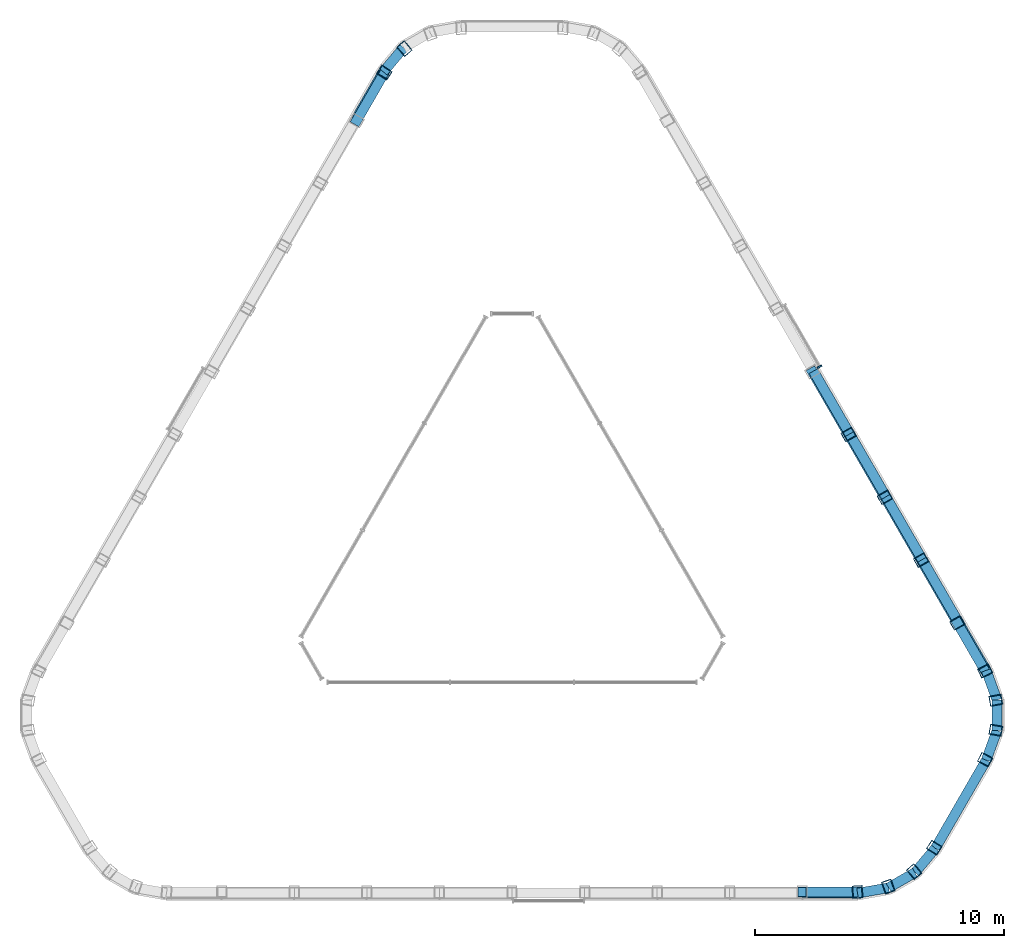
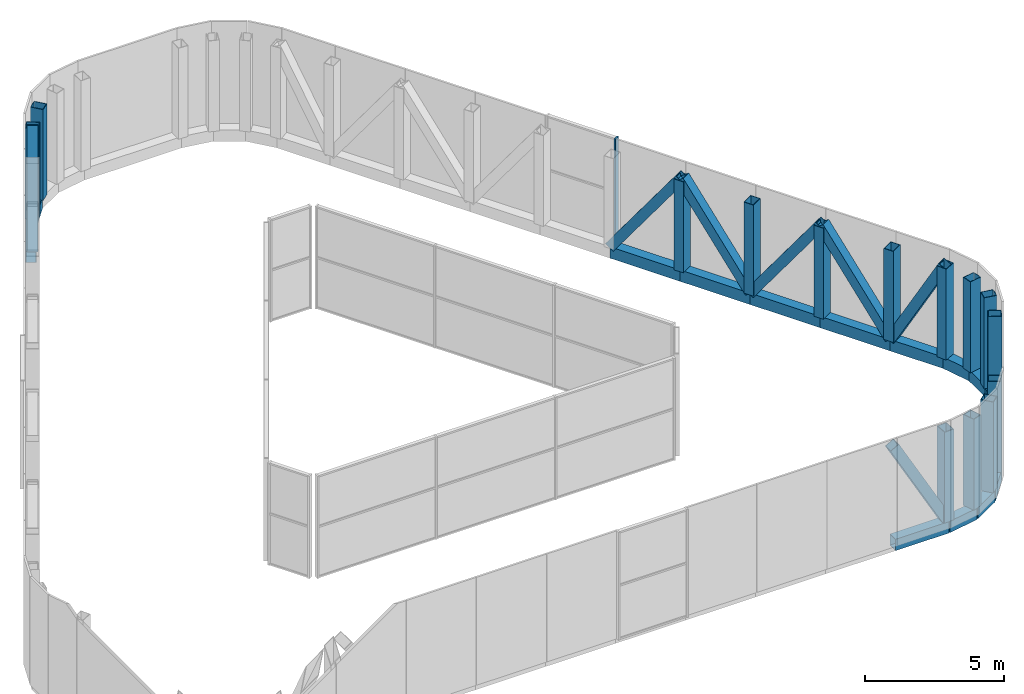
# One storey, part 3 of 5: 37 members, 1 element without a shape of its own.
"""IFC4 building model written with IfcOpenShell, lengths in metres."""

from ifc_helpers import new_model, si_unit, direction, frame, origin, origin_2d, place, context, subcontext, project, spatial, rectangle, hollow_rectangle, extrude, material, layer, layer_set, material_profile, profile_set, type_object, element, aggregate, save


model = new_model("IFC4")

# Units and contexts
model_context = context("Model", 3, precision=1e-05, world=origin(), true_north=direction((0.0, 1.0)))
body_context = subcontext(model_context, "Body", "Model", "MODEL_VIEW")
ifc_project = project(units=[si_unit("LENGTHUNIT", "METRE"), si_unit("AREAUNIT", "SQUARE_METRE"), si_unit("VOLUMEUNIT", "CUBIC_METRE"), si_unit("PLANEANGLEUNIT", "RADIAN"), si_unit("MASSUNIT", "GRAM", prefix="KILO")], contexts=[model_context])

# Site, building, storey
site_placement = place(None, origin())
site = spatial("IfcSite", under=ifc_project, at=site_placement, CompositionType="ELEMENT")
building_placement = place(site_placement, origin())
building = spatial("IfcBuilding", under=site, at=building_placement, Name="Apuvela Tower Hotel", CompositionType="ELEMENT")
storey_placement = place(building_placement, frame((0.0, 0.0, 366.800048828125)))
storey = spatial("IfcBuildingStorey", under=building, at=storey_placement, Name="R-6 ROOF", CompositionType="ELEMENT", Elevation=366.800048828125)

# Members
ifc_material_1 = material(Name="Steel S355, black paint system", Category="steel")
ifc_material_profile_1 = material_profile(ifc_material_1, hollow_rectangle(XDim=0.39990234375, YDim=0.39990234375, WallThickness=0.01611328125, at=origin_2d()), Name="HSS 400x400x16")
ifc_profile_set_1 = profile_set([ifc_material_profile_1], Name="Steel S355, black paint system")
member_type_1 = type_object("IfcMemberType", Name="ENV-CROWN-BRACE-400x400", PredefinedType="BRACE", material=ifc_profile_set_1)
member_1_placement = place(storey_placement, frame((-6.236572265625, 17.050537109375, 0.25), z_axis=(0.242948815269, 0.420705831623, 0.874060911148), x_axis=(-0.865977099567, 0.500083656027, 0.0)))
element("IfcMember", 1, at=member_1_placement, inside=storey, type_object=member_type_1, Name="Crown frame brace 7", PredefinedType="BRACE", context=body_context, shape_type="SweptSolid", body=[
    extrude(hollow_rectangle(XDim=0.39990234375, YDim=0.39990234375, WallThickness=0.01611328125, at=origin_2d()), origin(), (0.0, 0.0, 1.0), 4.576416015625),
])
member_2_placement = place(storey_placement, frame((13.87109375, -13.92626953125, 0.25), z_axis=(-0.485796931429, 0.0, 0.874071702673), x_axis=(0.0, -1.0, 0.0)))
element("IfcMember", 2, at=member_2_placement, inside=storey, type_object=member_type_1, Name="Crown frame brace 33", PredefinedType="BRACE", context=body_context, shape_type="SweptSolid", body=[
    extrude(hollow_rectangle(XDim=0.39990234375, YDim=0.39990234375, WallThickness=0.01611328125, at=origin_2d()), origin(), (0.0, 0.0, 1.0), 4.576171875),
])
member_3_placement = place(storey_placement, frame((17.884521484375, -3.124267578125, 0.25), z_axis=(0.242893162774, -0.420755188842, 0.874052620006), x_axis=(0.866052104262, 0.499953750565, 0.0)))
element("IfcMember", 3, at=member_3_placement, inside=storey, type_object=member_type_1, Name="Crown frame brace 41", PredefinedType="BRACE", context=body_context, shape_type="SweptSolid", body=[
    extrude(hollow_rectangle(XDim=0.39990234375, YDim=0.39990234375, WallThickness=0.01611328125, at=origin_2d()), origin(), (0.0, 0.0, 1.0), 4.576416015625),
])
for number, where, z_axis, x_axis, name in (
    (4, (17.884521484375, -3.124267578125, 0.25), (-0.294284958722, 0.509718917438, 0.80844479606), (-0.866026430432, -0.49999822179, 0.0), "Crown frame brace 42"),
    (5, (14.972412109375, 1.91943359375, 0.25), (0.294292360305, -0.509682392621, 0.808465129315), (0.866005469285, 0.500034525977, 0.0), "Crown frame brace 43"),
    (6, (14.972412109375, 1.91943359375, 0.25), (-0.294292360305, 0.509682392621, 0.808465129315), (-0.866005469285, -0.500034525977, 0.0), "Crown frame brace 44"),
    (7, (12.060302734375, 6.963134765625, 0.25), (0.294284958722, -0.509718917438, 0.80844479606), (0.866026430432, 0.49999822179, 0.0), "Crown frame brace 45"),
):
    element("IfcMember", number, at=place(storey_placement, frame(where, z_axis=z_axis, x_axis=x_axis)), inside=storey, type_object=member_type_1, Name=name, PredefinedType="BRACE", context=body_context, shape_type="SweptSolid", body=[
        extrude(hollow_rectangle(XDim=0.39990234375, YDim=0.39990234375, WallThickness=0.01611328125, at=origin_2d()), origin(), (0.0, 0.0, 1.0), 4.94775390625),
    ])
ifc_material_profile_2 = material_profile(ifc_material_1, hollow_rectangle(XDim=0.39990234375, YDim=0.5, WallThickness=0.02001953125, at=origin_2d()), Name="HSS 500x400x20")
ifc_profile_set_2 = profile_set([ifc_material_profile_2], Name="Steel S355, black paint system")
member_type_2 = type_object("IfcMemberType", Name="ENV-CROWN-POST-500x400", PredefinedType="POST", material=ifc_profile_set_2)
for number, where, z_axis, x_axis, name in (
    (8, (-4.318115234375, 19.9375, 0.25), (0.0, 0.0, 1.0), (-0.763579690807, -0.645713601984, 0.0), "Crown frame post 6"),
    (9, (-5.124755859375, 18.975830078125, 0.25), (0.0, 0.0, 1.0), (-0.553467140498, -0.832871013056, 0.0), "Crown frame post 7"),
    (10, (13.87109375, -13.92626953125, 0.25), (0.0, 0.0, 1.0), (0.998021025631, 0.062881097303, 0.0), "Crown frame post 34"),
    (11, (15.107421875, -13.708251953125, 0.25), (0.0, 0.0, 1.0), (0.940994228291, 0.33842260906, 0.0), "Crown frame post 35"),
    (12, (16.148193359375, -13.107421875, 0.25), (0.0, 0.0, 1.0), (0.763579690807, 0.645713601984, 0.0), "Crown frame post 36"),
    (13, (16.955078125, -12.145751953125, 0.25), (0.0, 0.0, 1.0), (0.535045541825, 0.844823217113, 0.0), "Crown frame post 37"),
    (14, (18.99609375, -8.610595703125, 0.25), (0.0, 0.0, 1.0), (0.464115596815, 0.885774639958, 0.0), "Crown frame post 38"),
    (15, (19.42529296875, -7.43115234375, 0.25), (0.0, 0.0, 1.0), (0.177414537484, 0.984136211045, 0.0), "Crown frame post 39"),
    (16, (19.42529296875, -6.229248046875, 0.25), (0.0, 0.0, 1.0), (-0.177414537484, 0.984136211045, 0.0), "Crown frame post 40"),
    (17, (18.99609375, -5.0498046875, 0.25), (0.0, 0.0, 1.0), (-0.444553885133, 0.895752110359, 0.0), "Crown frame post 41"),
    (18, (17.884521484375, -3.124267578125, 0.25), (0.0, 0.0, 1.0), (-0.5, 0.866025403784, 0.0), "Crown frame post 42"),
    (19, (16.428466796875, -0.602294921875, 0.25), (0.0, 0.0, 1.0), (-0.5, 0.866025403784, 0.0), "Crown frame post 43"),
    (20, (14.972412109375, 1.91943359375, 0.25), (0.0, 0.0, 1.0), (-0.5, 0.866025403784, 0.0), "Crown frame post 44"),
    (21, (13.516357421875, 4.441162109375, 0.25), (0.0, 0.0, 1.0), (-0.5, 0.866025403784, 0.0), "Crown frame post 45"),
):
    element("IfcMember", number, at=place(storey_placement, frame(where, z_axis=z_axis, x_axis=x_axis)), inside=storey, type_object=member_type_2, Name=name, PredefinedType="POST", context=body_context, shape_type="SweptSolid", body=[
        extrude(hollow_rectangle(XDim=0.39990234375, YDim=0.5, WallThickness=0.02001953125, at=origin_2d()), origin(), (0.0, 0.0, 1.0), 4.0),
    ])
ifc_material_profile_3 = material_profile(ifc_material_1, hollow_rectangle(XDim=0.39990234375, YDim=0.5, WallThickness=0.01611328125, at=origin_2d()), Name="HSS 500x400x16")
ifc_profile_set_3 = profile_set([ifc_material_profile_3], Name="Steel S355, black paint system")
member_type_3 = type_object("IfcMemberType", Name="ENV-CROWN-RING-500x400", PredefinedType="STRINGER", material=ifc_profile_set_3)
member_4_placement = place(storey_placement, frame((-4.3505859375, 19.976318359375, 0.0), z_axis=(-0.642830918567, -0.766008100567, 0.0), x_axis=(0.766008100567, -0.642830918567, 0.0)))
element("IfcMember", 22, at=member_4_placement, inside=storey, type_object=member_type_3, Name="Crown frame ring beam 6.6", PredefinedType="STRINGER", context=body_context, shape_type="SweptSolid", body=[
    extrude(hollow_rectangle(XDim=0.39990234375, YDim=0.5, WallThickness=0.01611328125, at=origin_2d()), origin(), (0.0, 0.0, 1.0), 1.2685546875),
])
for number, where, z_axis, x_axis, name in (
    (23, (-5.166015625, 19.004638671875, 0.0), (-0.499941024108, -0.866059450854, 0.0), (0.866059450854, -0.499941024108, 0.0), "Crown frame ring beam 6.7"),
    (24, (11.651611328125, -13.976318359375, 0.0), (1.0, 0.0, 0.0), (0.0, 1.0, 0.0), "Crown frame ring beam 6.33"),
):
    element("IfcMember", number, at=place(storey_placement, frame(where, z_axis=z_axis, x_axis=x_axis)), inside=storey, type_object=member_type_3, Name=name, PredefinedType="STRINGER", context=body_context, shape_type="SweptSolid", body=[
        extrude(hollow_rectangle(XDim=0.39990234375, YDim=0.5, WallThickness=0.01611328125, at=origin_2d()), origin(), (0.0, 0.0, 1.0), 2.223876953125),
    ])
member_5_placement = place(storey_placement, frame((13.87548828125, -13.976318359375, 0.0), z_axis=(0.984783558818, 0.173785333909, 0.0), x_axis=(-0.173785333909, 0.984783558818, 0.0)))
element("IfcMember", 25, at=member_5_placement, inside=storey, type_object=member_type_3, Name="Crown frame ring beam 6.34", PredefinedType="STRINGER", context=body_context, shape_type="SweptSolid", body=[
    extrude(hollow_rectangle(XDim=0.39990234375, YDim=0.5, WallThickness=0.01611328125, at=origin_2d()), origin(), (0.0, 0.0, 1.0), 1.2685546875),
])
member_6_placement = place(storey_placement, frame((15.124755859375, -13.755859375, 0.0), z_axis=(0.866078909804, 0.499907313403, 0.0), x_axis=(-0.499907313403, 0.866078909804, 0.0)))
element("IfcMember", 26, at=member_6_placement, inside=storey, type_object=member_type_3, Name="Crown frame ring beam 6.35", PredefinedType="STRINGER", context=body_context, shape_type="SweptSolid", body=[
    extrude(hollow_rectangle(XDim=0.39990234375, YDim=0.5, WallThickness=0.01611328125, at=origin_2d()), origin(), (0.0, 0.0, 1.0), 1.219482421875),
])
member_7_placement = place(storey_placement, frame((16.180908203125, -13.146240234375, 0.0), z_axis=(0.642717965607, 0.766102876046, 0.0), x_axis=(-0.766102876046, 0.642717965607, 0.0)))
element("IfcMember", 27, at=member_7_placement, inside=storey, type_object=member_type_3, Name="Crown frame ring beam 6.36", PredefinedType="STRINGER", context=body_context, shape_type="SweptSolid", body=[
    extrude(hollow_rectangle(XDim=0.39990234375, YDim=0.5, WallThickness=0.01611328125, at=origin_2d()), origin(), (0.0, 0.0, 1.0), 1.268310546875),
])
member_8_placement = place(storey_placement, frame((16.99609375, -12.174560546875, 0.0), z_axis=(0.500003144135, 0.86602358851, 0.0), x_axis=(-0.86602358851, 0.500003144135, 0.0)))
element("IfcMember", 28, at=member_8_placement, inside=storey, type_object=member_type_3, Name="Crown frame ring beam 6.37", PredefinedType="STRINGER", context=body_context, shape_type="SweptSolid", body=[
    extrude(hollow_rectangle(XDim=0.39990234375, YDim=0.5, WallThickness=0.01611328125, at=origin_2d()), origin(), (0.0, 0.0, 1.0), 4.0908203125),
])
member_9_placement = place(storey_placement, frame((19.04150390625, -8.6318359375, 0.0), z_axis=(0.34203668354, 0.939686600475, 0.0), x_axis=(-0.939686600475, 0.34203668354, 0.0)))
element("IfcMember", 29, at=member_9_placement, inside=storey, type_object=member_type_3, Name="Crown frame ring beam 6.38", PredefinedType="STRINGER", context=body_context, shape_type="SweptSolid", body=[
    extrude(hollow_rectangle(XDim=0.39990234375, YDim=0.5, WallThickness=0.01611328125, at=origin_2d()), origin(), (0.0, 0.0, 1.0), 1.268310546875),
])
member_10_placement = place(storey_placement, frame((19.475341796875, -7.43994140625, 0.0), z_axis=(0.0, 1.0, 0.0), x_axis=(-1.0, 0.0, 0.0)))
element("IfcMember", 30, at=member_10_placement, inside=storey, type_object=member_type_3, Name="Crown frame ring beam 6.39", PredefinedType="STRINGER", context=body_context, shape_type="SweptSolid", body=[
    extrude(hollow_rectangle(XDim=0.39990234375, YDim=0.5, WallThickness=0.01611328125, at=origin_2d()), origin(), (0.0, 0.0, 1.0), 1.219482421875),
])
member_11_placement = place(storey_placement, frame((19.475341796875, -6.220458984375, 0.0), z_axis=(-0.34203668354, 0.939686600475, 0.0), x_axis=(-0.939686600475, -0.34203668354, 0.0)))
element("IfcMember", 31, at=member_11_placement, inside=storey, type_object=member_type_3, Name="Crown frame ring beam 6.40", PredefinedType="STRINGER", context=body_context, shape_type="SweptSolid", body=[
    extrude(hollow_rectangle(XDim=0.39990234375, YDim=0.5, WallThickness=0.01611328125, at=origin_2d()), origin(), (0.0, 0.0, 1.0), 1.268310546875),
])
member_12_placement = place(storey_placement, frame((19.04150390625, -5.028564453125, 0.0), z_axis=(-0.500023359282, 0.866011916877, 0.0), x_axis=(-0.866011916877, -0.500023359282, 0.0)))
element("IfcMember", 32, at=member_12_placement, inside=storey, type_object=member_type_3, Name="Crown frame ring beam 6.41", PredefinedType="STRINGER", context=body_context, shape_type="SweptSolid", body=[
    extrude(hollow_rectangle(XDim=0.39990234375, YDim=0.5, WallThickness=0.01611328125, at=origin_2d()), origin(), (0.0, 0.0, 1.0), 2.22412109375),
])
member_13_placement = place(storey_placement, frame((17.929443359375, -3.1025390625, 0.0), z_axis=(-0.499952204256, 0.866052996912, 0.0), x_axis=(-0.866052996912, -0.499952204256, 0.0)))
element("IfcMember", 33, at=member_13_placement, inside=storey, type_object=member_type_3, Name="Crown frame ring beam 6.42", PredefinedType="STRINGER", context=body_context, shape_type="SweptSolid", body=[
    extrude(hollow_rectangle(XDim=0.39990234375, YDim=0.5, WallThickness=0.01611328125, at=origin_2d()), origin(), (0.0, 0.0, 1.0), 2.912841796875),
])
member_14_placement = place(storey_placement, frame((16.47314453125, -0.579833984375, 0.0), z_axis=(-0.500015065024, 0.866016705814, 0.0), x_axis=(-0.866016705814, -0.500015065024, 0.0)))
element("IfcMember", 34, at=member_14_placement, inside=storey, type_object=member_type_3, Name="Crown frame ring beam 6.43", PredefinedType="STRINGER", context=body_context, shape_type="SweptSolid", body=[
    extrude(hollow_rectangle(XDim=0.39990234375, YDim=0.5, WallThickness=0.01611328125, at=origin_2d()), origin(), (0.0, 0.0, 1.0), 2.9130859375),
])
member_15_placement = place(storey_placement, frame((15.0166015625, 1.94287109375, 0.0), z_axis=(-0.499988496788, 0.866032045065, 0.0), x_axis=(-0.866032045065, -0.499988496788, 0.0)))
element("IfcMember", 35, at=member_15_placement, inside=storey, type_object=member_type_3, Name="Crown frame ring beam 6.44", PredefinedType="STRINGER", context=body_context, shape_type="SweptSolid", body=[
    extrude(hollow_rectangle(XDim=0.39990234375, YDim=0.5, WallThickness=0.01611328125, at=origin_2d()), origin(), (0.0, 0.0, 1.0), 2.91259765625),
])
member_16_placement = place(storey_placement, frame((13.560302734375, 4.46533203125, 0.0), z_axis=(-0.500015065024, 0.866016705814, 0.0), x_axis=(-0.866016705814, -0.500015065024, 0.0)))
element("IfcMember", 36, at=member_16_placement, inside=storey, type_object=member_type_3, Name="Crown frame ring beam 6.45", PredefinedType="STRINGER", context=body_context, shape_type="SweptSolid", body=[
    extrude(hollow_rectangle(XDim=0.39990234375, YDim=0.5, WallThickness=0.01611328125, at=origin_2d()), origin(), (0.0, 0.0, 1.0), 2.9130859375),
])

# Curtain wall, member
ifc_material_2 = material(Name="Aluminium 6063-T6, dark bronze anodised", Category="aluminium")
ifc_layer = layer(ifc_material_2, 0.199951171875)
ifc_layer_set = layer_set([ifc_layer], Name="ENV-CW-C")
curtain_wall_type = type_object("IfcCurtainWallType", Name="ENV-CW-C", PredefinedType="NOTDEFINED", material=ifc_layer_set)
curtain_wall_placement = place(storey_placement, origin())
curtain_wall = element("IfcCurtainWall", 37, at=curtain_wall_placement, inside=storey, type_object=curtain_wall_type, Name="Crown glazing 46 R-6 ROOF", PredefinedType="NOTDEFINED")
ifc_material_profile_4 = material_profile(ifc_material_2, rectangle(XDim=0.199951171875, YDim=0.06494140625, at=origin_2d()), Name="AL 65x200")
ifc_profile_set_4 = profile_set([ifc_material_profile_4], Name="Aluminium 6063-T6, dark bronze anodised")
member_type_4 = type_object("IfcMemberType", Name="ENV-MULLION-65x200", PredefinedType="MULLION", material=ifc_profile_set_4)
member_17_placement = place(storey_placement, frame((12.347412109375, 7.166259765625, 0.0), z_axis=(0.0, 0.0, 1.0), x_axis=(-0.866021760657, -0.500006310028, 0.0)))
member_17 = element("IfcMember", 38, at=member_17_placement, type_object=member_type_4, Name="CW-C mullion 1", PredefinedType="MULLION", context=body_context, shape_type="SweptSolid", body=[
    extrude(rectangle(XDim=0.199951171875, YDim=0.06494140625, at=origin_2d()), origin(), (0.0, 0.0, 1.0), 4.75),
])
aggregate(curtain_wall, [member_17])

save(model, "model.ifc")
